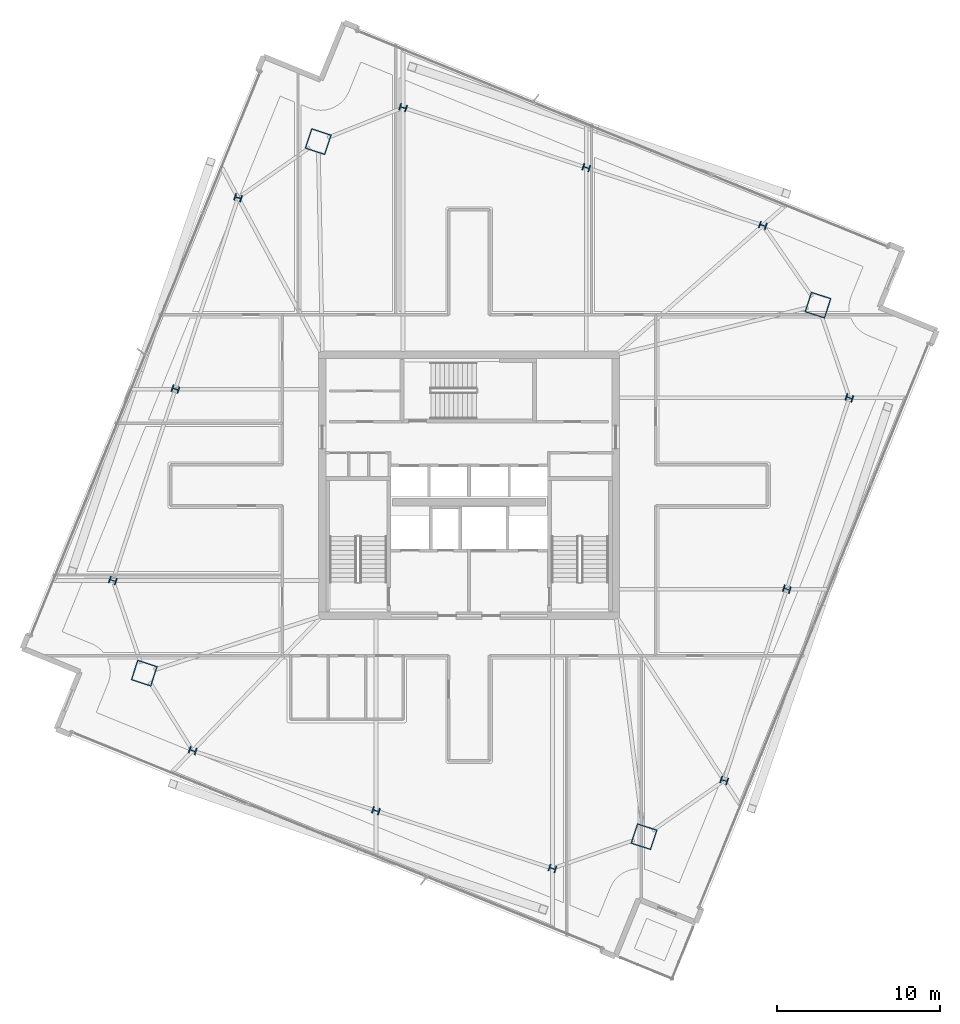
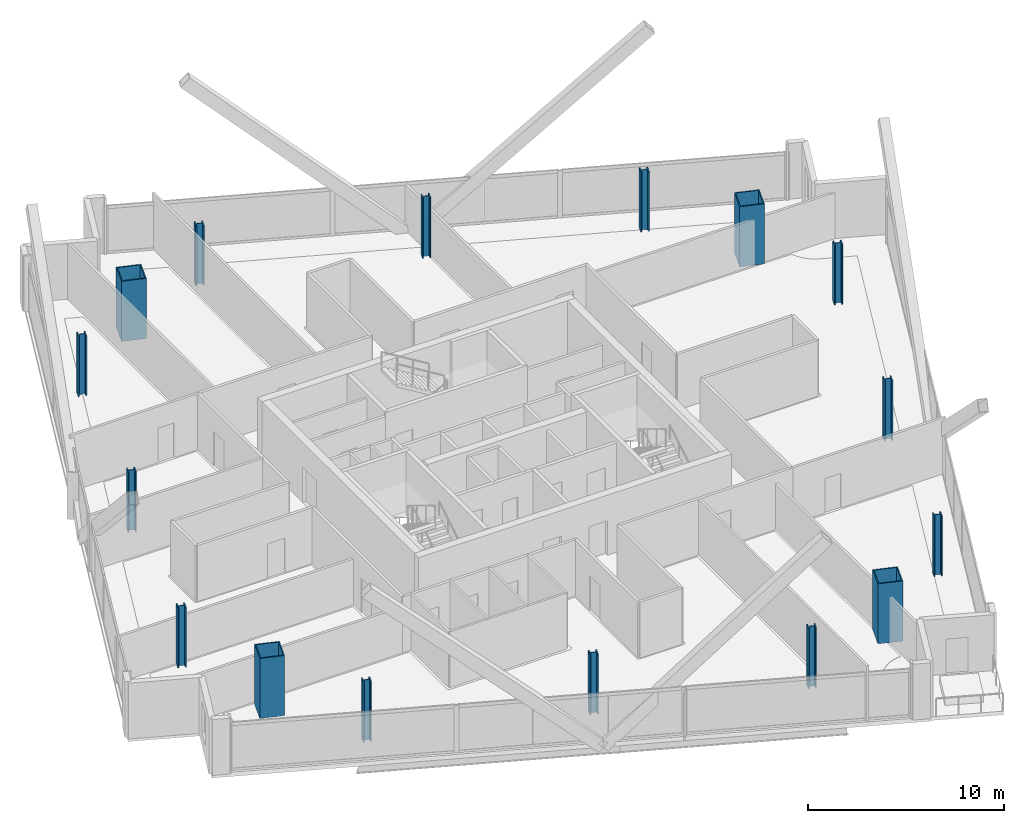
# One storey, part 1 of 31: 16 columns.
"""IFC4 building model written with IfcOpenShell, lengths in metres."""

import ifcopenshell
import ifcopenshell.guid

model = None  # the IFC model being written
_history = None  # IfcOwnerHistory: only IFC2X3 demands one
_inside = {}  # id of a spatial element -> (the spatial element, [elements in it])
_under = {}  # id of a project, library or spatial element -> (it, [spatial elements below it])
_declared = {}  # id of a project -> (the project, [libraries it declares])
_typed = {}  # id of a type object -> (the type object, [elements of that type])
_made_of = {}  # id of a material, layer set ... -> (it, [elements and type objects made of it])


def new_model(schema):
    """Start an empty IFC model of exactly this schema.

    Asked for "IFC4X3", IfcOpenShell would pick the latest addendum, in which some entities
    have other attributes; the version numbers below select the first issue.
    IFC2X3 requires an IfcOwnerHistory on every rooted entity: one is made here for all.
    """
    global model, _history
    if schema == "IFC4X3":
        model = ifcopenshell.file(schema_version=(4, 3, 0, 0))
    else:
        model = ifcopenshell.file(schema=schema)
    _inside.clear()
    _under.clear()
    _declared.clear()
    _typed.clear()
    _made_of.clear()
    _history = None
    if model.schema == "IFC2X3":
        org = make("IfcOrganization", Name="unknown")
        user = make(
            "IfcPersonAndOrganization",
            ThePerson=make("IfcPerson", FamilyName="unknown"),
            TheOrganization=org,
        )
        app = make(
            "IfcApplication",
            ApplicationDeveloper=org,
            Version="unknown",
            ApplicationFullName="unknown",
            ApplicationIdentifier="unknown",
        )
        _history = make(
            "IfcOwnerHistory",
            OwningUser=user,
            OwningApplication=app,
            ChangeAction="ADDED",
            CreationDate=0,
        )
    return model


def make(cls, **values):
    """One entity of the class cls with the attributes given. An attribute that is None is left unset."""
    return model.create_entity(
        cls, **{name: value for name, value in values.items() if value is not None}
    )


def rooted(cls, **values):
    """An entity with a GlobalId (a new one), such as an element, a storey or a relation."""
    return make(cls, GlobalId=ifcopenshell.guid.new(), OwnerHistory=_history, **values)


def si_unit(unit_type, name, prefix=None):
    """IfcSIUnit, for example si_unit("LENGTHUNIT", "METRE", prefix="MILLI")."""
    return make("IfcSIUnit", UnitType=unit_type, Prefix=prefix, Name=name)


def assignment(units):
    """IfcUnitAssignment: the units of a project."""
    return None if units is None else make("IfcUnitAssignment", Units=units)


def point(xyz):
    """IfcCartesianPoint."""
    return None if xyz is None else make("IfcCartesianPoint", Coordinates=xyz)


def direction(xyz):
    """IfcDirection."""
    return None if xyz is None else make("IfcDirection", DirectionRatios=xyz)


def frame(location, z_axis=None, x_axis=None):
    """IfcAxis2Placement3D, a coordinate frame: its origin and axes. An axis left out is left unset."""
    return make(
        "IfcAxis2Placement3D",
        Location=point(location),
        Axis=direction(z_axis),
        RefDirection=direction(x_axis),
    )


def frame_2d(location, x_axis=None):
    """IfcAxis2Placement2D, a coordinate frame in the plane: its origin and x axis."""
    return make(
        "IfcAxis2Placement2D", Location=point(location), RefDirection=direction(x_axis)
    )


def origin():
    """The frame at (0, 0, 0) with its axes left unset."""
    return frame((0.0, 0.0, 0.0))


def origin_2d():
    """The frame at (0, 0) in the plane with its x axis left unset."""
    return frame_2d((0.0, 0.0))


def place(relative_to, where):
    """IfcLocalPlacement: puts the frame where relative to a parent placement (None: the world)."""
    return make(
        "IfcLocalPlacement", PlacementRelTo=relative_to, RelativePlacement=where
    )


def context(
    kind, dimensions, precision=None, world=None, true_north=None, identifier=None
):
    """IfcGeometricRepresentationContext, for example the 3D "Model" context."""
    return make(
        "IfcGeometricRepresentationContext",
        ContextIdentifier=identifier,
        ContextType=kind,
        CoordinateSpaceDimension=dimensions,
        Precision=precision,
        WorldCoordinateSystem=world,
        TrueNorth=true_north,
    )


def subcontext(parent, identifier, kind, view, scale=None):
    """IfcGeometricRepresentationSubContext, for example "Body" below "Model"."""
    return make(
        "IfcGeometricRepresentationSubContext",
        ContextIdentifier=identifier,
        ContextType=kind,
        ParentContext=parent,
        TargetScale=scale,
        TargetView=view,
    )


def project(units=None, contexts=None):
    """IfcProject with its units and contexts."""
    return rooted(
        "IfcProject",
        Name="project",
        RepresentationContexts=contexts,
        UnitsInContext=assignment(units),
    )


def spatial(cls, under=None, at=None, **own):
    """A site, building, storey or space (cls), placed at a placement, below another one or the project."""
    s = rooted(cls, ObjectPlacement=at, **own)
    if under is not None:
        _under.setdefault(under.id(), (under, []))[1].append(s)
    return s


def profile(cls, at=None, kind="AREA", **sizes):
    """A parametric profile (cls). Its sizes go by their IFC names, for example OverallWidth=200.0."""
    return make(cls, ProfileType=kind, Position=at, **sizes)


def hollow_rectangle(**sizes):
    """IfcRectangleHollowProfileDef."""
    return profile("IfcRectangleHollowProfileDef", **sizes)


def i_section(**sizes):
    """IfcIShapeProfileDef."""
    return profile("IfcIShapeProfileDef", **sizes)


def extrude(swept, where, along, depth):
    """IfcExtrudedAreaSolid: the profile swept, set in the frame where, extruded along a direction by depth."""
    return make(
        "IfcExtrudedAreaSolid",
        SweptArea=swept,
        Position=where,
        ExtrudedDirection=direction(along),
        Depth=depth,
    )


def shape(context_of_items, identifier, shape_type, items):
    """IfcShapeRepresentation: the items that make up one representation, for example the "Body"."""
    return make(
        "IfcShapeRepresentation",
        ContextOfItems=context_of_items,
        RepresentationIdentifier=identifier,
        RepresentationType=shape_type,
        Items=items,
    )


def material(Name=None, Category=None):
    """IfcMaterial."""
    return make("IfcMaterial", Name=Name, Category=Category)


def material_profile(
    of_material, cross_section, Name=None, Category=None, Priority=None
):
    """IfcMaterialProfile: a cross section and its material."""
    return make(
        "IfcMaterialProfile",
        Name=Name,
        Material=of_material,
        Profile=cross_section,
        Priority=Priority,
        Category=Category,
    )


def profile_set(profiles, Name=None, composite=None):
    """IfcMaterialProfileSet."""
    return make(
        "IfcMaterialProfileSet",
        Name=Name,
        MaterialProfiles=profiles,
        CompositeProfile=composite,
    )


def made_of(thing, what):
    """Note that an element or type object is made of a material, layer set ...; save() writes the relation."""
    if what is not None:
        _made_of.setdefault(what.id(), (what, []))[1].append(thing)
    return thing


def type_object(cls, material=None, **own):
    """A type object (cls), such as IfcWallType, which elements share."""
    return made_of(rooted(cls, **own), material)


def element(
    cls,
    number,
    at=None,
    inside=None,
    cuts=None,
    type_object=None,
    material=None,
    context=None,
    identifier="Body",
    shape_type=None,
    held_by="IfcProductDefinitionShape",
    body=None,
    shapes=None,
    **own,
):
    """One element of the class cls, such as IfcWall. Its Tag is "e" and its number.

    at: its placement. inside: the storey or other place that contains it. cuts: it is an
    opening in that element (IfcRelVoidsElement). A single representation is given by context,
    identifier, shape_type and body (its items); several are given by shapes. held_by: the class
    of the entity that holds the representations. save() writes the other relations.
    """
    e = rooted(cls, Tag="e%d" % number, ObjectPlacement=at, **own)
    if body is not None:
        shapes = [shape(context, identifier, shape_type, body)]
    if shapes is not None:
        e.Representation = make(held_by, Representations=shapes)
    if inside is not None:
        _inside.setdefault(inside.id(), (inside, []))[1].append(e)
    if cuts is not None:
        rooted(
            "IfcRelVoidsElement", RelatingBuildingElement=cuts, RelatedOpeningElement=e
        )
    if type_object is not None:
        _typed.setdefault(type_object.id(), (type_object, []))[1].append(e)
    return made_of(e, material)


def aggregate(whole, parts):
    """IfcRelAggregates: a whole, such as a stair, and the parts it consists of."""
    return rooted("IfcRelAggregates", RelatingObject=whole, RelatedObjects=parts)


def save(model, path):
    """Write the relations noted so far, then the file.

    IfcRelAggregates (storeys below a building ...), IfcRelContainedInSpatialStructure (elements
    in a storey), IfcRelDefinesByType, IfcRelAssociatesMaterial and IfcRelDeclares: one each for
    every whole, place, type object, material and project.
    """
    for whole, parts in _under.values():
        aggregate(whole, parts)
    for where, things in _inside.values():
        rooted(
            "IfcRelContainedInSpatialStructure",
            RelatedElements=things,
            RelatingStructure=where,
        )
    for kind, things in _typed.values():
        rooted("IfcRelDefinesByType", RelatedObjects=things, RelatingType=kind)
    for what, things in _made_of.values():
        rooted("IfcRelAssociatesMaterial", RelatedObjects=things, RelatingMaterial=what)
    for by, libraries in _declared.values():
        rooted("IfcRelDeclares", RelatingContext=by, RelatedDefinitions=libraries)
    model.write(path)


model = new_model("IFC4")

# Units and contexts
model_context = context("Model", 3, precision=1e-05, world=origin(), true_north=direction((0.0, 1.0)))
body_context = subcontext(model_context, "Body", "Model", "MODEL_VIEW")
ifc_project = project(units=[si_unit("LENGTHUNIT", "METRE"), si_unit("AREAUNIT", "SQUARE_METRE"), si_unit("VOLUMEUNIT", "CUBIC_METRE"), si_unit("PLANEANGLEUNIT", "RADIAN"), si_unit("MASSUNIT", "GRAM", prefix="KILO")], contexts=[model_context])

# Site, building, storey
site_placement = place(None, origin())
site = spatial("IfcSite", under=ifc_project, at=site_placement, CompositionType="ELEMENT")
building_placement = place(site_placement, origin())
building = spatial("IfcBuilding", under=site, at=building_placement, Name="Haldenkirk Collegiate Tower", CompositionType="ELEMENT")
storey_placement = place(building_placement, frame((0.0, 0.0, 256.199951171875)))
storey = spatial("IfcBuildingStorey", under=building, at=storey_placement, Name="L64", CompositionType="ELEMENT", Elevation=256.199951171875)

# Columns
ifc_material_1 = material(Name="Steel ASTM A913 Grade 65", Category="steel")
ifc_material_profile_1 = material_profile(ifc_material_1, i_section(OverallWidth=0.416015625, OverallDepth=0.445068359375, WebThickness=0.0390625, FlangeThickness=0.062744140625, at=origin_2d()), Name="W14X342")
ifc_profile_set_1 = profile_set([ifc_material_profile_1], Name="Steel ASTM A913 Grade 65")
column_type_1 = type_object("IfcColumnType", Name="COL-INT-W14X342", PredefinedType="COLUMN", material=ifc_profile_set_1)
for number, where, z_axis, x_axis, name in (
    (1, (51.64306640625, 7.888671875, 0.0), (0.0, 0.0, 1.0), (0.311008203279, 0.950407227189, 0.0), "L64 perimeter gravity column PC-S1"),
    (2, (55.4833984375, 19.624267578125, 0.0), (0.0, 0.0, 1.0), (0.311008203279, 0.950407227189, 0.0), "L64 perimeter gravity column PC-S2"),
    (3, (59.32373046875, 31.360107421875, 0.0), (0.0, 0.0, 1.0), (0.311008203279, 0.950407227189, 0.0), "L64 perimeter gravity column PC-S3"),
    (4, (54.01806640625, 41.9365234375, 0.0), (0.0, 0.0, 1.0), (0.311008203279, 0.950407227189, 0.0), "L64 perimeter gravity column PC-E1"),
    (5, (43.18994140625, 45.47998046875, 0.0), (0.0, 0.0, 1.0), (0.311008203279, 0.950407227189, 0.0), "L64 perimeter gravity column PC-E2"),
    (6, (31.949462890625, 49.158203125, 0.0), (0.0, 0.0, 1.0), (0.311008203279, 0.950407227189, 0.0), "L64 perimeter gravity column PC-E3"),
    (7, (21.830078125, 43.629150390625, 0.0), (0.0, 0.0, 1.0), (0.311008203279, 0.950407227189, 0.0), "L64 perimeter gravity column PC-N1"),
    (8, (17.98974609375, 31.8935546875, 0.0), (0.0, 0.0, 1.0), (0.311008203279, 0.950407227189, 0.0), "L64 perimeter gravity column PC-N2"),
    (9, (14.1494140625, 20.157958984375, 0.0), (0.0, 0.0, 1.0), (0.311008203279, 0.950407227189, 0.0), "L64 perimeter gravity column PC-N3"),
    (10, (19.042724609375, 9.71630859375, 0.0), (0.0, 0.0, 1.0), (0.311008203279, 0.950407227189, 0.0), "L64 perimeter gravity column PC-W1"),
    (11, (30.283203125, 6.0380859375, 0.0), (0.0, 0.0, 1.0), (0.311008203279, 0.950407227189, 0.0), "L64 perimeter gravity column PC-W2"),
    (12, (41.111083984375, 2.49462890625, 0.0), (0.0, 0.0, 1.0), (0.311008203279, 0.950407227189, 0.0), "L64 perimeter gravity column PC-W3"),
):
    element("IfcColumn", number, at=place(storey_placement, frame(where, z_axis=z_axis, x_axis=x_axis)), inside=storey, type_object=column_type_1, Name=name, PredefinedType="COLUMN", context=body_context, shape_type="SweptSolid", body=[
        extrude(i_section(OverallWidth=0.416015625, OverallDepth=0.445068359375, WebThickness=0.0390625, FlangeThickness=0.062744140625, at=origin_2d()), origin(), (0.0, 0.0, 1.0), 3.75),
    ])
ifc_material_2 = material(Name="Steel ASTM A572 Grade 50", Category="steel")
ifc_material_profile_2 = material_profile(ifc_material_2, hollow_rectangle(XDim=1.300048828125, YDim=1.300048828125, WallThickness=0.06005859375, at=origin_2d()), Name="BOX1300X1300X60")
ifc_profile_set_2 = profile_set([ifc_material_profile_2], Name="Steel ASTM A572 Grade 50")
column_type_2 = type_object("IfcColumnType", Name="COL-MEGA-BOX1300X1300X60", PredefinedType="COLUMN", material=ifc_profile_set_2)
for number, where, z_axis, x_axis, name in (
    (13, (46.72802734375, 4.444580078125, 0.0), (0.0, 0.0, 1.0), (0.311008203279, 0.950407227189, 0.0), "L64 corner mega-column MC1"),
    (14, (57.395751953125, 37.04345703125, 0.0), (0.0, 0.0, 1.0), (0.311008203279, 0.950407227189, 0.0), "L64 corner mega-column MC2"),
    (15, (26.7451171875, 47.073486328125, 0.0), (0.0, 0.0, 1.0), (0.311008203279, 0.950407227189, 0.0), "L64 corner mega-column MC3"),
    (16, (16.077392578125, 14.474609375, 0.0), (0.0, 0.0, 1.0), (0.311008203279, 0.950407227189, 0.0), "L64 corner mega-column MC4"),
):
    element("IfcColumn", number, at=place(storey_placement, frame(where, z_axis=z_axis, x_axis=x_axis)), inside=storey, type_object=column_type_2, Name=name, PredefinedType="COLUMN", context=body_context, shape_type="SweptSolid", body=[
        extrude(hollow_rectangle(XDim=1.300048828125, YDim=1.300048828125, WallThickness=0.06005859375, at=origin_2d()), origin(), (0.0, 0.0, 1.0), 3.75),
    ])

save(model, "model.ifc")
